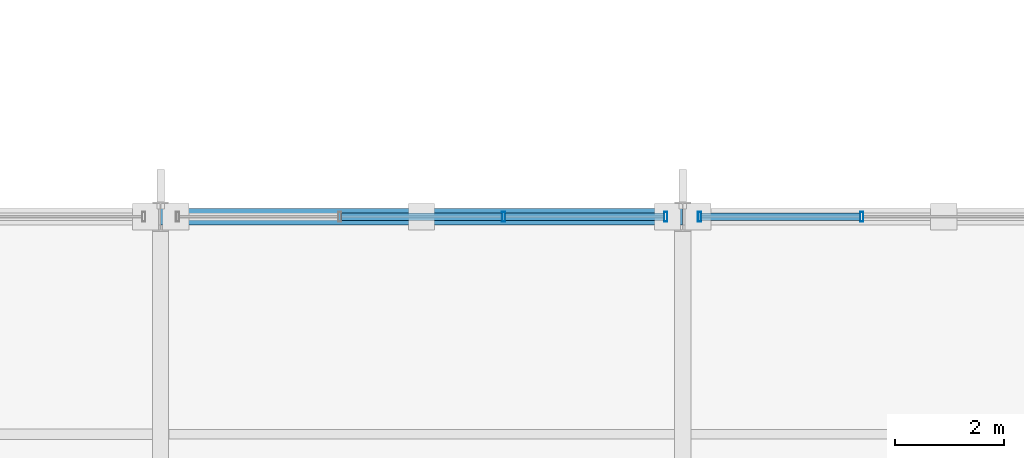
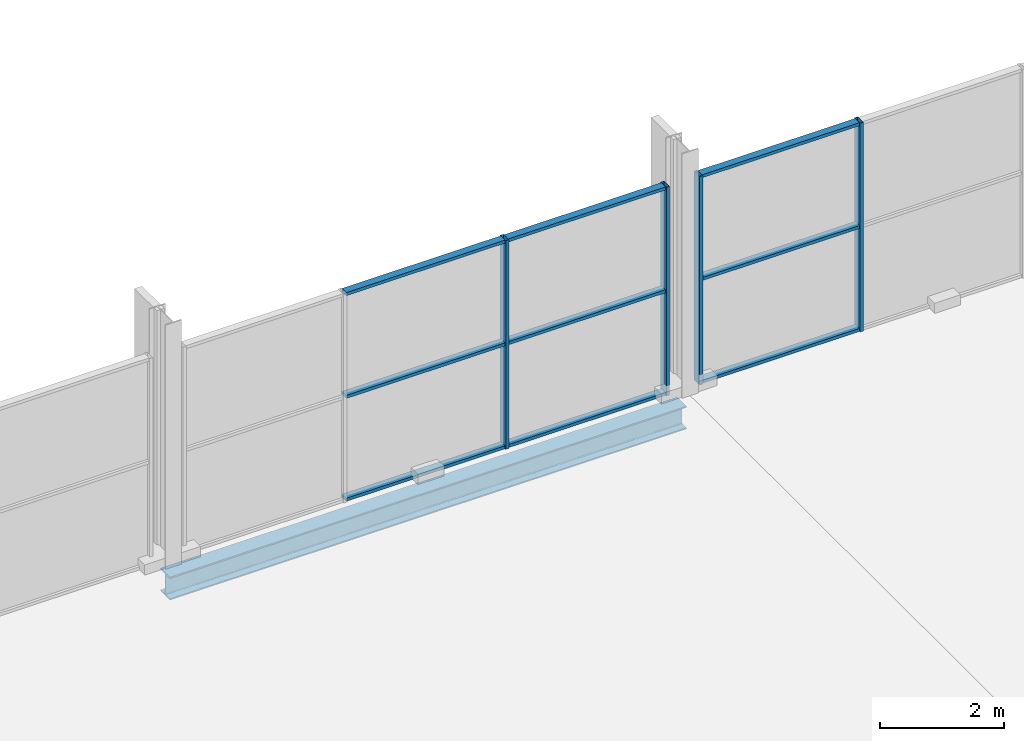
# One storey, part 88 of 159: 13 members, 1 beam, 2 elements without a shape of their own.
"""IFC4 building model written with IfcOpenShell, lengths in metres."""

from ifc_helpers import new_model, si_unit, direction, frame, origin, origin_2d, place, context, subcontext, project, spatial, hollow_rectangle, i_section, extrude, material, material_profile, profile_set, type_object, element, aggregate, save


model = new_model("IFC4")

# Units and contexts
model_context = context("Model", 3, precision=1e-05, world=origin(), true_north=direction((0.0, 1.0)))
body_context = subcontext(model_context, "Body", "Model", "MODEL_VIEW")
ifc_project = project(units=[si_unit("LENGTHUNIT", "METRE"), si_unit("AREAUNIT", "SQUARE_METRE"), si_unit("VOLUMEUNIT", "CUBIC_METRE"), si_unit("PLANEANGLEUNIT", "RADIAN"), si_unit("MASSUNIT", "GRAM", prefix="KILO")], contexts=[model_context])

# Site, building, storey
site_placement = place(None, origin())
site = spatial("IfcSite", under=ifc_project, at=site_placement, CompositionType="ELEMENT")
building_placement = place(site_placement, origin())
building = spatial("IfcBuilding", under=site, at=building_placement, Name="Merenkruunu Market Hall", CompositionType="ELEMENT")
storey_placement = place(building_placement, frame((0.0, 0.0, 5.39990234375)))
storey = spatial("IfcBuildingStorey", under=building, at=storey_placement, Name="L01", CompositionType="ELEMENT", Elevation=5.39990234375)

# Curtain wall, members
ifc_material_1 = material(Name="Powder-coated aluminium", Category="aluminium")
curtain_wall_type = type_object("IfcCurtainWallType", Name="Glazed Curtain Wall CW09", PredefinedType="USERDEFINED", material=ifc_material_1)
curtain_wall_1_placement = place(storey_placement, origin())
curtain_wall_1 = element("IfcCurtainWall", 1, at=curtain_wall_1_placement, inside=storey, type_object=curtain_wall_type, Name="CW-L01-CWM02-063", ObjectType="GLAZED_FACADE", PredefinedType="USERDEFINED")
ifc_material_profile_1 = material_profile(ifc_material_1, hollow_rectangle(XDim=0.06005859375, YDim=0.179931640625, WallThickness=0.00390625, at=origin_2d()), Name="ALU 60x180x4")
ifc_profile_set_1 = profile_set([ifc_material_profile_1], Name="Powder-coated aluminium")
member_type_1 = type_object("IfcMemberType", Name="Curtain Wall Mullion CWM02", PredefinedType="MULLION", material=ifc_profile_set_1)
member_1_placement = place(storey_placement, frame((44.706787109375, 111.60009765625, 0.0), z_axis=(0.0, 0.0, 1.0), x_axis=(1.0, 0.0, 0.0)))
member_1 = element("IfcMember", 2, at=member_1_placement, type_object=member_type_1, Name="CW09 mullion 3", PredefinedType="MULLION", context=body_context, shape_type="SweptSolid", body=[
    extrude(hollow_rectangle(XDim=0.06005859375, YDim=0.179931640625, WallThickness=0.00390625, at=origin_2d()), origin(), (0.0, 0.0, 1.0), 4.10009765625),
])
member_2_placement = place(storey_placement, frame((47.68994140625, 111.60009765625, 0.0), z_axis=(0.0, 0.0, 1.0), x_axis=(1.0, 0.0, 0.0)))
member_2 = element("IfcMember", 3, at=member_2_placement, type_object=member_type_1, Name="CW09 mullion 4", PredefinedType="MULLION", context=body_context, shape_type="SweptSolid", body=[
    extrude(hollow_rectangle(XDim=0.06005859375, YDim=0.179931640625, WallThickness=0.00390625, at=origin_2d()), origin(), (0.0, 0.0, 1.0), 4.10009765625),
])

curtain_wall_2_placement = place(storey_placement, origin())
curtain_wall_2 = element("IfcCurtainWall", 4, at=curtain_wall_2_placement, inside=storey, type_object=curtain_wall_type, Name="CW-L01-CWM02-065", ObjectType="GLAZED_FACADE", PredefinedType="USERDEFINED")
member_3_placement = place(storey_placement, frame((48.31005859375, 111.60009765625, 0.0), z_axis=(0.0, 0.0, 1.0), x_axis=(1.0, 0.0, 0.0)))
member_3 = element("IfcMember", 5, at=member_3_placement, type_object=member_type_1, Name="CW09 mullion 1", PredefinedType="MULLION", context=body_context, shape_type="SweptSolid", body=[
    extrude(hollow_rectangle(XDim=0.06005859375, YDim=0.179931640625, WallThickness=0.00390625, at=origin_2d()), origin(), (0.0, 0.0, 1.0), 4.10009765625),
])
member_4_placement = place(storey_placement, frame((51.293212890625, 111.60009765625, 0.0), z_axis=(0.0, 0.0, 1.0), x_axis=(1.0, 0.0, 0.0)))
member_4 = element("IfcMember", 6, at=member_4_placement, type_object=member_type_1, Name="CW09 mullion 2", PredefinedType="MULLION", context=body_context, shape_type="SweptSolid", body=[
    extrude(hollow_rectangle(XDim=0.06005859375, YDim=0.179931640625, WallThickness=0.00390625, at=origin_2d()), origin(), (0.0, 0.0, 1.0), 4.10009765625),
])

# Member
ifc_material_profile_2 = material_profile(ifc_material_1, hollow_rectangle(XDim=0.06005859375, YDim=0.139892578125, WallThickness=0.00390625, at=origin_2d()), Name="ALU 60x140x4")
ifc_profile_set_2 = profile_set([ifc_material_profile_2], Name="Powder-coated aluminium")
member_type_2 = type_object("IfcMemberType", Name="Curtain Wall Transom CWT02", PredefinedType="USERDEFINED", material=ifc_profile_set_2)
member_5_placement = place(storey_placement, frame((41.723388671875, 111.60009765625, 0.030029296875), z_axis=(1.0, 0.0, 0.0), x_axis=(0.0, 0.0, 1.0)))
member_5 = element("IfcMember", 7, at=member_5_placement, type_object=member_type_2, Name="CW09 transom 2.1", ObjectType="TRANSOM", PredefinedType="USERDEFINED", context=body_context, shape_type="SweptSolid", body=[
    extrude(hollow_rectangle(XDim=0.06005859375, YDim=0.139892578125, WallThickness=0.00390625, at=origin_2d()), origin(), (0.0, 0.0, 1.0), 2.953369140625),
])

member_6_placement = place(storey_placement, frame((41.723388671875, 111.60009765625, 2.050048828125), z_axis=(1.0, 0.0, 0.0), x_axis=(0.0, 0.0, 1.0)))
member_6 = element("IfcMember", 8, at=member_6_placement, type_object=member_type_2, Name="CW09 transom 2.2", ObjectType="TRANSOM", PredefinedType="USERDEFINED", context=body_context, shape_type="SweptSolid", body=[
    extrude(hollow_rectangle(XDim=0.06005859375, YDim=0.139892578125, WallThickness=0.00390625, at=origin_2d()), origin(), (0.0, 0.0, 1.0), 2.953369140625),
])

member_7_placement = place(storey_placement, frame((41.723388671875, 111.60009765625, 4.070068359375), z_axis=(1.0, 0.0, 0.0), x_axis=(0.0, 0.0, 1.0)))
member_7 = element("IfcMember", 9, at=member_7_placement, type_object=member_type_2, Name="CW09 transom 2.3", ObjectType="TRANSOM", PredefinedType="USERDEFINED", context=body_context, shape_type="SweptSolid", body=[
    extrude(hollow_rectangle(XDim=0.06005859375, YDim=0.139892578125, WallThickness=0.00390625, at=origin_2d()), origin(), (0.0, 0.0, 1.0), 2.953369140625),
])

member_8_placement = place(storey_placement, frame((44.736572265625, 111.60009765625, 0.030029296875), z_axis=(1.0, 0.0, 0.0), x_axis=(0.0, 0.0, 1.0)))
member_8 = element("IfcMember", 10, at=member_8_placement, type_object=member_type_2, Name="CW09 transom 3.1", ObjectType="TRANSOM", PredefinedType="USERDEFINED", context=body_context, shape_type="SweptSolid", body=[
    extrude(hollow_rectangle(XDim=0.06005859375, YDim=0.139892578125, WallThickness=0.00390625, at=origin_2d()), origin(), (0.0, 0.0, 1.0), 2.92333984375),
])

member_9_placement = place(storey_placement, frame((44.736572265625, 111.60009765625, 2.050048828125), z_axis=(1.0, 0.0, 0.0), x_axis=(0.0, 0.0, 1.0)))
member_9 = element("IfcMember", 11, at=member_9_placement, type_object=member_type_2, Name="CW09 transom 3.2", ObjectType="TRANSOM", PredefinedType="USERDEFINED", context=body_context, shape_type="SweptSolid", body=[
    extrude(hollow_rectangle(XDim=0.06005859375, YDim=0.139892578125, WallThickness=0.00390625, at=origin_2d()), origin(), (0.0, 0.0, 1.0), 2.92333984375),
])

member_10_placement = place(storey_placement, frame((44.736572265625, 111.60009765625, 4.070068359375), z_axis=(1.0, 0.0, 0.0), x_axis=(0.0, 0.0, 1.0)))
member_10 = element("IfcMember", 12, at=member_10_placement, type_object=member_type_2, Name="CW09 transom 3.3", ObjectType="TRANSOM", PredefinedType="USERDEFINED", context=body_context, shape_type="SweptSolid", body=[
    extrude(hollow_rectangle(XDim=0.06005859375, YDim=0.139892578125, WallThickness=0.00390625, at=origin_2d()), origin(), (0.0, 0.0, 1.0), 2.92333984375),
])

aggregate(curtain_wall_1, [member_1, member_2, member_5, member_6, member_7, member_8, member_9, member_10])

member_11_placement = place(storey_placement, frame((48.340087890625, 111.60009765625, 0.030029296875), z_axis=(1.0, 0.0, 0.0), x_axis=(0.0, 0.0, 1.0)))
member_11 = element("IfcMember", 13, at=member_11_placement, type_object=member_type_2, Name="CW09 transom 1.1", ObjectType="TRANSOM", PredefinedType="USERDEFINED", context=body_context, shape_type="SweptSolid", body=[
    extrude(hollow_rectangle(XDim=0.06005859375, YDim=0.139892578125, WallThickness=0.00390625, at=origin_2d()), origin(), (0.0, 0.0, 1.0), 2.92333984375),
])

member_12_placement = place(storey_placement, frame((48.340087890625, 111.60009765625, 2.050048828125), z_axis=(1.0, 0.0, 0.0), x_axis=(0.0, 0.0, 1.0)))
member_12 = element("IfcMember", 14, at=member_12_placement, type_object=member_type_2, Name="CW09 transom 1.2", ObjectType="TRANSOM", PredefinedType="USERDEFINED", context=body_context, shape_type="SweptSolid", body=[
    extrude(hollow_rectangle(XDim=0.06005859375, YDim=0.139892578125, WallThickness=0.00390625, at=origin_2d()), origin(), (0.0, 0.0, 1.0), 2.92333984375),
])

member_13_placement = place(storey_placement, frame((48.340087890625, 111.60009765625, 4.070068359375), z_axis=(1.0, 0.0, 0.0), x_axis=(0.0, 0.0, 1.0)))
member_13 = element("IfcMember", 15, at=member_13_placement, type_object=member_type_2, Name="CW09 transom 1.3", ObjectType="TRANSOM", PredefinedType="USERDEFINED", context=body_context, shape_type="SweptSolid", body=[
    extrude(hollow_rectangle(XDim=0.06005859375, YDim=0.139892578125, WallThickness=0.00390625, at=origin_2d()), origin(), (0.0, 0.0, 1.0), 2.92333984375),
])

aggregate(curtain_wall_2, [member_3, member_4, member_11, member_12, member_13])

# Beam
ifc_material_2 = material(Name="Steel S355J2", Category="steel")
ifc_material_profile_3 = material_profile(ifc_material_2, i_section(OverallWidth=0.300048828125, OverallDepth=0.449951171875, WebThickness=0.013916015625, FlangeThickness=0.02587890625, FilletRadius=0.027099609375, at=origin_2d()), Name="HEB 450")
ifc_profile_set_3 = profile_set([ifc_material_profile_3], Name="Steel S355J2")
beam_type = type_object("IfcBeamType", Name="Primary Floor Girder B03", PredefinedType="BEAM", material=ifc_profile_set_3)
beam_placement = place(storey_placement, frame((38.39990234375, 111.60009765625, -0.5048828125), z_axis=(1.0, 0.0, 0.0), x_axis=(0.0, 1.0, 0.0)))
element("IfcBeam", 16, at=beam_placement, inside=storey, type_object=beam_type, Name="BM-L01-B03-0549", PredefinedType="BEAM", context=body_context, shape_type="SweptSolid", body=[
    extrude(i_section(OverallWidth=0.300048828125, OverallDepth=0.449951171875, WebThickness=0.013916015625, FlangeThickness=0.02587890625, FilletRadius=0.027099609375, at=origin_2d()), origin(), (0.0, 0.0, 1.0), 9.60009765625),
])

save(model, "model.ifc")
